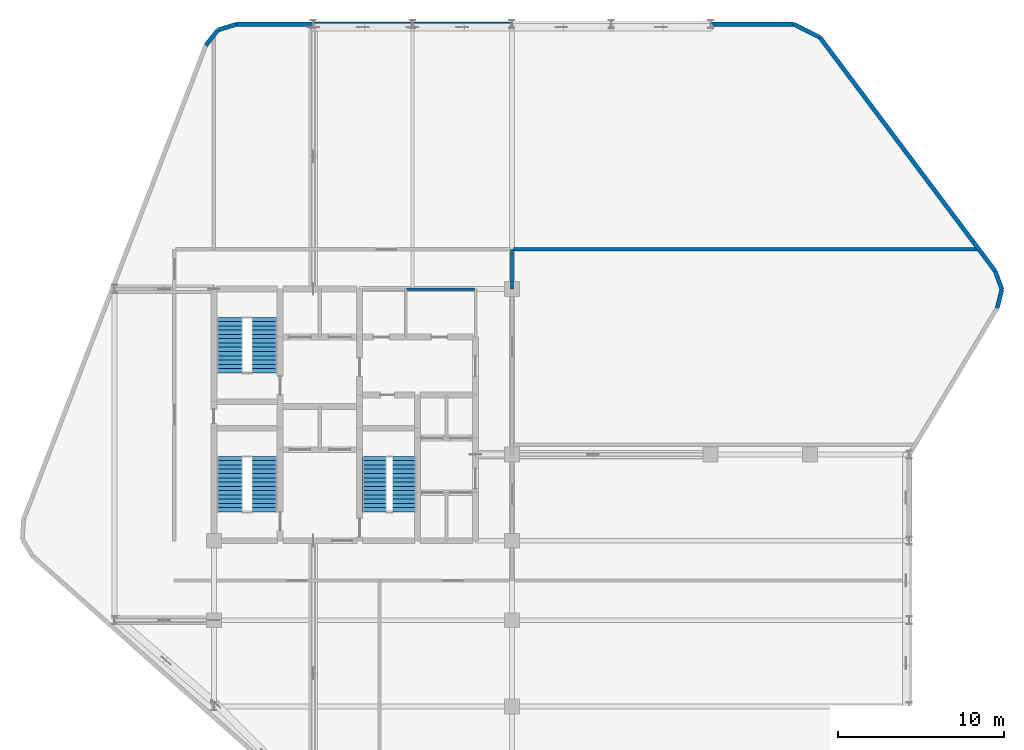
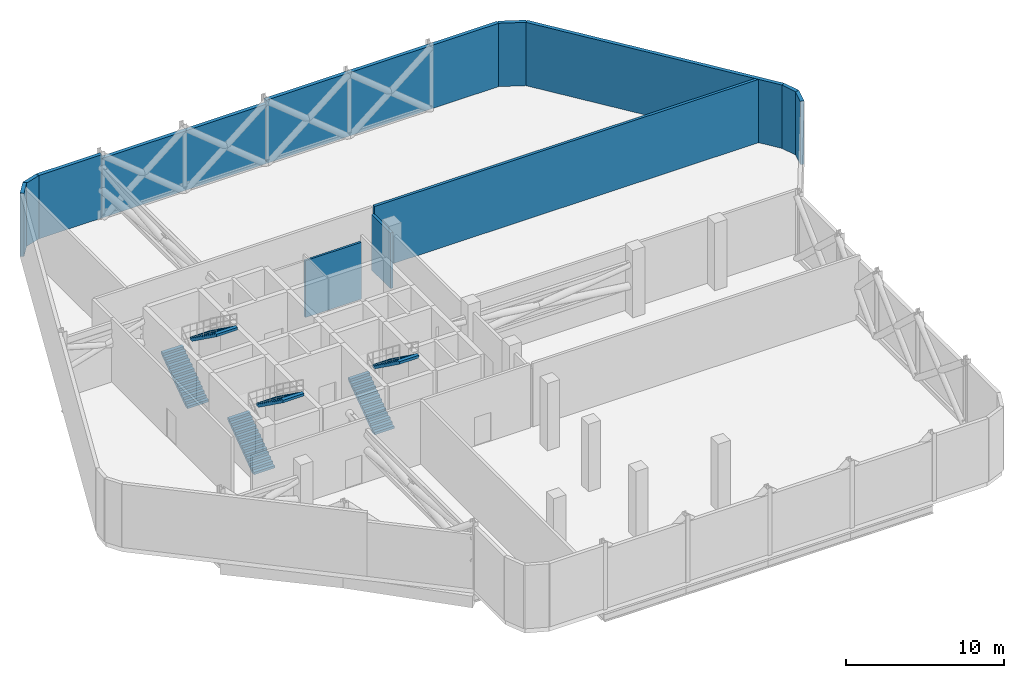
# One storey, part 11 of 12: 12 walls, 6 stair flights, 3 elements without a shape of their own.
"""IFC4 building model written with IfcOpenShell, lengths in metres."""

from ifc_helpers import new_model, si_unit, direction, frame, frame_2d, origin, place, context, subcontext, project, spatial, polyline, rectangle, outline, extrude, material, layer, layer_set, type_object, element, aggregate, save


model = new_model("IFC4")

# Units and contexts
model_context = context("Model", 3, precision=1e-05, world=origin(), true_north=direction((0.0, 1.0)))
body_context = subcontext(model_context, "Body", "Model", "MODEL_VIEW")
ifc_project = project(units=[si_unit("LENGTHUNIT", "METRE"), si_unit("AREAUNIT", "SQUARE_METRE"), si_unit("VOLUMEUNIT", "CUBIC_METRE"), si_unit("PLANEANGLEUNIT", "RADIAN"), si_unit("MASSUNIT", "GRAM", prefix="KILO")], contexts=[model_context])

# Site, building, storey
site_placement = place(None, origin())
site = spatial("IfcSite", under=ifc_project, at=site_placement, CompositionType="ELEMENT")
building_placement = place(site_placement, origin())
building = spatial("IfcBuilding", under=site, at=building_placement, Name="Keshet Zoharim Tower", CompositionType="ELEMENT")
storey_placement = place(building_placement, frame((0.0, 0.0, 159.39990234375)))
storey = spatial("IfcBuildingStorey", under=building, at=storey_placement, Name="L39", CompositionType="ELEMENT", Elevation=159.39990234375)

# Walls
ifc_material_1 = material(Name="Gypsum Plasterboard", Category="gypsum")
ifc_layer_1 = layer(ifc_material_1, 0.14990234375)
ifc_layer_set_1 = layer_set([ifc_layer_1], Name="Gypsum Plasterboard")
wall_type_1 = type_object("IfcWallType", Name="WL-CLIN-150", PredefinedType="STANDARD", material=ifc_layer_set_1)
wall_1_placement = place(storey_placement, frame((26.64501953125, 37.89990234375, 0.0), z_axis=(0.0, 0.0, 1.0), x_axis=(1.0, 0.0, 0.0)))
element("IfcWall", 1, at=wall_1_placement, inside=storey, type_object=wall_type_1, Name="L39 Interior Wall 057", PredefinedType="STANDARD", context=body_context, shape_type="SweptSolid", body=[
    extrude(rectangle(XDim=4.094970703125, YDim=0.14990234375, at=frame_2d((2.04736328125, 0.0))), origin(), (0.0, 0.0, 1.0), 4.39013671875),
])
ifc_material_2 = material(Name="Concrete C50/60 precast", Category="concrete")
ifc_layer_2 = layer(ifc_material_2, 0.260009765625)
ifc_layer_set_2 = layer_set([ifc_layer_2], Name="Concrete C50/60 precast")
wall_type_2 = type_object("IfcWallType", Name="WL-EXT-260", PredefinedType="STANDARD", material=ifc_layer_set_2)
wall_2_placement = place(storey_placement, frame((14.507080078125, 52.617919921875, 0.0), z_axis=(0.0, 0.0, 1.0), x_axis=(0.619003121736, 0.78538852505, 0.0)))
element("IfcWall", 2, at=wall_2_placement, inside=storey, type_object=wall_type_2, Name="L39 Exterior Facade Wall 11", PredefinedType="STANDARD", context=body_context, shape_type="SweptSolid", body=[
    extrude(rectangle(XDim=1.185546875, YDim=0.260009765625, at=frame_2d((0.5927734375, 0.0))), origin(), (0.0, 0.0, 1.0), 4.89013671875),
])
wall_3_placement = place(storey_placement, frame((15.240966796875, 53.549072265625, 0.0), z_axis=(0.0, 0.0, 1.0), x_axis=(0.955256816454, 0.295777643879, 0.0)))
element("IfcWall", 3, at=wall_3_placement, inside=storey, type_object=wall_type_2, Name="L39 Exterior Facade Wall 12", PredefinedType="STANDARD", context=body_context, shape_type="SweptSolid", body=[
    extrude(rectangle(XDim=1.18603515625, YDim=0.260009765625, at=frame_2d((0.593017578125, 0.0))), origin(), (0.0, 0.0, 1.0), 4.89013671875),
])
wall_4_placement = place(storey_placement, frame((16.3740234375, 53.89990234375, 0.0), z_axis=(0.0, 0.0, 1.0), x_axis=(1.0, 0.0, 0.0)))
element("IfcWall", 4, at=wall_4_placement, inside=storey, type_object=wall_type_2, Name="L39 Exterior Facade Wall 13", PredefinedType="STANDARD", context=body_context, shape_type="SweptSolid", body=[
    extrude(rectangle(XDim=4.6259765625, YDim=0.260009765625, at=frame_2d((2.31298828125, 0.0))), origin(), (0.0, 0.0, 1.0), 4.89013671875),
])
wall_5_placement = place(storey_placement, frame((50.0, 53.89990234375, 0.0), z_axis=(0.0, 0.0, 1.0), x_axis=(0.894481775839, -0.447104409162, 0.0)))
element("IfcWall", 5, at=wall_5_placement, inside=storey, type_object=wall_type_2, Name="L39 Exterior Facade Wall 14", PredefinedType="STANDARD", context=body_context, shape_type="SweptSolid", body=[
    extrude(rectangle(XDim=1.788818359375, YDim=0.260009765625, at=frame_2d((0.89453125, 0.0))), origin(), (0.0, 0.0, 1.0), 4.89013671875),
])
wall_6_placement = place(storey_placement, frame((51.60009765625, 53.10009765625, 0.0), z_axis=(0.0, 0.0, 1.0), x_axis=(0.6, -0.8, 0.0)))
element("IfcWall", 6, at=wall_6_placement, inside=storey, type_object=wall_type_2, Name="L39 Exterior Facade Wall 15", PredefinedType="STANDARD", context=body_context, shape_type="SweptSolid", body=[
    extrude(rectangle(XDim=17.655029296875, YDim=0.260009765625, at=frame_2d((8.82763671875, 0.0))), origin(), (0.0, 0.0, 1.0), 4.89013671875),
])
wall_7_placement = place(storey_placement, frame((62.193115234375, 38.97607421875, 0.0), z_axis=(0.0, 0.0, 1.0), x_axis=(0.34023056637, -0.94034204506, 0.0)))
element("IfcWall", 7, at=wall_7_placement, inside=storey, type_object=wall_type_2, Name="L39 Exterior Facade Wall 16", PredefinedType="STANDARD", context=body_context, shape_type="SweptSolid", body=[
    extrude(rectangle(XDim=1.166748046875, YDim=0.260009765625, at=frame_2d((0.58349609375, 0.0))), origin(), (0.0, 0.0, 1.0), 4.89013671875),
])
wall_8_placement = place(storey_placement, frame((62.590087890625, 37.87890625, 0.0), z_axis=(0.0, 0.0, 1.0), x_axis=(-0.241747572301, -0.970339173324, 0.0)))
element("IfcWall", 8, at=wall_8_placement, inside=storey, type_object=wall_type_2, Name="L39 Exterior Facade Wall 17", PredefinedType="STANDARD", context=body_context, shape_type="SweptSolid", body=[
    extrude(rectangle(XDim=1.16650390625, YDim=0.260009765625, at=frame_2d((0.583251953125, 0.0))), origin(), (0.0, 0.0, 1.0), 4.89013671875),
])
wall_9_placement = place(storey_placement, frame((21.0, 53.89990234375, 0.0), z_axis=(0.0, 0.0, 1.0), x_axis=(1.0, 0.0, 0.0)))
element("IfcWall", 9, at=wall_9_placement, inside=storey, type_object=wall_type_2, Name="L39 Exterior Facade Wall 13 Part 2", PredefinedType="STANDARD", context=body_context, shape_type="SweptSolid", body=[
    extrude(rectangle(XDim=12.0, YDim=0.260009765625, at=frame_2d((6.0, 0.0))), origin(), (0.0, 0.0, 1.0), 4.590087890625),
])
wall_10_placement = place(storey_placement, frame((33.0, 53.89990234375, 0.0), z_axis=(0.0, 0.0, 1.0), x_axis=(1.0, 0.0, 0.0)))
element("IfcWall", 10, at=wall_10_placement, inside=storey, type_object=wall_type_2, Name="L39 Exterior Facade Wall 13 Part 3", PredefinedType="STANDARD", context=body_context, shape_type="SweptSolid", body=[
    extrude(rectangle(XDim=17.0, YDim=0.260009765625, at=frame_2d((8.5, 0.0))), origin(), (0.0, 0.0, 1.0), 4.89013671875),
])
ifc_material_3 = material(Name="Concrete C50/60", Category="concrete")
ifc_layer_3 = layer(ifc_material_3, 0.199951171875)
ifc_layer_set_3 = layer_set([ifc_layer_3], Name="Concrete C50/60")
wall_type_3 = type_object("IfcWallType", Name="WL-FIRE-200", PredefinedType="STANDARD", material=ifc_layer_set_3)
wall_11_placement = place(storey_placement, frame((33.0849609375, 40.300048828125, 0.0), z_axis=(0.0, 0.0, 1.0), x_axis=(1.0, 0.0, 0.0)))
element("IfcWall", 11, at=wall_11_placement, inside=storey, type_object=wall_type_3, Name="L39 Interior Wall 059", PredefinedType="STANDARD", context=body_context, shape_type="SweptSolid", body=[
    extrude(rectangle(XDim=28.10498046875, YDim=0.199951171875, at=frame_2d((14.052490234375, 0.0))), origin(), (0.0, 0.0, 1.0), 4.89013671875),
])
wall_12_placement = place(storey_placement, frame((33.0, 37.89990234375, 0.0), z_axis=(0.0, 0.0, 1.0), x_axis=(0.0, 1.0, 0.0)))
element("IfcWall", 12, at=wall_12_placement, inside=storey, type_object=wall_type_3, Name="L39 Interior Wall 033 Part 2", PredefinedType="STANDARD", context=body_context, shape_type="SweptSolid", body=[
    extrude(rectangle(XDim=2.400146484375, YDim=0.199951171875, at=frame_2d((1.2001953125, 0.0))), origin(), (0.0, 0.0, 1.0), 4.2900390625),
])

# Stair, stair flights
stair_type = type_object("IfcStairType", Name="STR-EXIT-135", PredefinedType="HALF_TURN_STAIR", material=ifc_material_3)
stair_1_placement = place(storey_placement, origin())
stair_1 = element("IfcStair", 13, at=stair_1_placement, inside=storey, type_object=stair_type, Name="L39 Enclosed Exit Stair ST-01", PredefinedType="HALF_TURN_STAIR")
stair_flight_type_1 = type_object("IfcStairFlightType", Name="FLT-PRE-135", PredefinedType="STRAIGHT", material=ifc_material_3)
stair_flight_1_placement = place(storey_placement, frame((15.945068359375, 24.43994140625, 0.0), z_axis=(0.0, 0.0, 1.0), x_axis=(0.0, 1.0, 0.0)))
stair_flight_1 = element("IfcStairFlight", 14, at=stair_flight_1_placement, type_object=stair_flight_type_1, Name="ST-01 flight 1", NumberOfRisers=14, NumberOfTreads=13, PredefinedType="STRAIGHT", RiserHeight=0.185714, TreadLength=0.258, context=body_context, shape_type="SweptSolid", body=[
    extrude(outline(polyline([(0.0, 0.0), (0.0, 0.185791015625), (0.258056640625, 0.185791015625), (0.258056640625, 0.371337890625), (0.51611328125, 0.371337890625), (0.51611328125, 0.55712890625), (0.77392578125, 0.55712890625), (0.77392578125, 0.742919921875), (1.031982421875, 0.742919921875), (1.031982421875, 0.928466796875), (1.2900390625, 0.928466796875), (1.2900390625, 1.1142578125), (1.548095703125, 1.1142578125), (1.548095703125, 1.300048828125), (1.805908203125, 1.300048828125), (1.805908203125, 1.485595703125), (2.06396484375, 1.485595703125), (2.06396484375, 1.67138671875), (2.322021484375, 1.67138671875), (2.322021484375, 1.857177734375), (2.580078125, 1.857177734375), (2.580078125, 2.04296875), (2.837890625, 2.04296875), (2.837890625, 2.228515625), (3.095947265625, 2.228515625), (3.095947265625, 2.414306640625), (3.35400390625, 2.414306640625), (3.35400390625, 2.60009765625), (3.35400390625, 2.21728515625), (0.273681640625, 0.0), (0.0, 0.0)])), frame((0.0, 0.76513671875, 0.0), z_axis=(0.0, -1.0, 0.0), x_axis=(1.0, 0.0, 0.0)), (0.0, 0.0, 1.0), 1.530029296875),
])
stair_flight_2_placement = place(storey_placement, frame((18.054931640625, 27.7939453125, 2.60009765625), z_axis=(0.0, 0.0, 1.0), x_axis=(0.0, -1.0, 0.0)))
stair_flight_2 = element("IfcStairFlight", 15, at=stair_flight_2_placement, type_object=stair_flight_type_1, Name="ST-01 flight 2", NumberOfRisers=14, NumberOfTreads=13, PredefinedType="STRAIGHT", RiserHeight=0.185714, TreadLength=0.258, context=body_context, shape_type="SweptSolid", body=[
    extrude(outline(polyline([(0.0, 0.0), (0.0, 0.185791015625), (0.258056640625, 0.185791015625), (0.258056640625, 0.371337890625), (0.51611328125, 0.371337890625), (0.51611328125, 0.55712890625), (0.77392578125, 0.55712890625), (0.77392578125, 0.742919921875), (1.031982421875, 0.742919921875), (1.031982421875, 0.928466796875), (1.2900390625, 0.928466796875), (1.2900390625, 1.1142578125), (1.548095703125, 1.1142578125), (1.548095703125, 1.300048828125), (1.805908203125, 1.300048828125), (1.805908203125, 1.485595703125), (2.06396484375, 1.485595703125), (2.06396484375, 1.67138671875), (2.322021484375, 1.67138671875), (2.322021484375, 1.857177734375), (2.580078125, 1.857177734375), (2.580078125, 2.04296875), (2.837890625, 2.04296875), (2.837890625, 2.228515625), (3.095947265625, 2.228515625), (3.095947265625, 2.414306640625), (3.35400390625, 2.414306640625), (3.35400390625, 2.60009765625), (3.35400390625, 2.21728515625), (0.273681640625, 0.0), (0.0, 0.0)])), frame((0.0, 0.76513671875, 0.0), z_axis=(0.0, -1.0, 0.0), x_axis=(1.0, 0.0, 0.0)), (0.0, 0.0, 1.0), 1.530029296875),
])
aggregate(stair_1, [stair_flight_1, stair_flight_2])

stair_2_placement = place(storey_placement, origin())
stair_2 = element("IfcStair", 16, at=stair_2_placement, inside=storey, type_object=stair_type, Name="L39 Enclosed Exit Stair ST-02", PredefinedType="HALF_TURN_STAIR")
stair_flight_3_placement = place(storey_placement, frame((15.945068359375, 32.840087890625, 0.0), z_axis=(0.0, 0.0, 1.0), x_axis=(0.0, 1.0, 0.0)))
stair_flight_3 = element("IfcStairFlight", 17, at=stair_flight_3_placement, type_object=stair_flight_type_1, Name="ST-02 flight 1", NumberOfRisers=14, NumberOfTreads=13, PredefinedType="STRAIGHT", RiserHeight=0.185714, TreadLength=0.258, context=body_context, shape_type="SweptSolid", body=[
    extrude(outline(polyline([(0.0, 0.0), (0.0, 0.185791015625), (0.258056640625, 0.185791015625), (0.258056640625, 0.371337890625), (0.51611328125, 0.371337890625), (0.51611328125, 0.55712890625), (0.77392578125, 0.55712890625), (0.77392578125, 0.742919921875), (1.031982421875, 0.742919921875), (1.031982421875, 0.928466796875), (1.2900390625, 0.928466796875), (1.2900390625, 1.1142578125), (1.548095703125, 1.1142578125), (1.548095703125, 1.300048828125), (1.805908203125, 1.300048828125), (1.805908203125, 1.485595703125), (2.06396484375, 1.485595703125), (2.06396484375, 1.67138671875), (2.322021484375, 1.67138671875), (2.322021484375, 1.857177734375), (2.580078125, 1.857177734375), (2.580078125, 2.04296875), (2.837890625, 2.04296875), (2.837890625, 2.228515625), (3.095947265625, 2.228515625), (3.095947265625, 2.414306640625), (3.35400390625, 2.414306640625), (3.35400390625, 2.60009765625), (3.35400390625, 2.21728515625), (0.273681640625, 0.0), (0.0, 0.0)])), frame((0.0, 0.76513671875, 0.0), z_axis=(0.0, -1.0, 0.0), x_axis=(1.0, 0.0, 0.0)), (0.0, 0.0, 1.0), 1.530029296875),
])
stair_flight_4_placement = place(storey_placement, frame((18.054931640625, 36.194091796875, 2.60009765625), z_axis=(0.0, 0.0, 1.0), x_axis=(0.0, -1.0, 0.0)))
stair_flight_4 = element("IfcStairFlight", 18, at=stair_flight_4_placement, type_object=stair_flight_type_1, Name="ST-02 flight 2", NumberOfRisers=14, NumberOfTreads=13, PredefinedType="STRAIGHT", RiserHeight=0.185714, TreadLength=0.258, context=body_context, shape_type="SweptSolid", body=[
    extrude(outline(polyline([(0.0, 0.0), (0.0, 0.185791015625), (0.258056640625, 0.185791015625), (0.258056640625, 0.371337890625), (0.51611328125, 0.371337890625), (0.51611328125, 0.55712890625), (0.77392578125, 0.55712890625), (0.77392578125, 0.742919921875), (1.031982421875, 0.742919921875), (1.031982421875, 0.928466796875), (1.2900390625, 0.928466796875), (1.2900390625, 1.1142578125), (1.548095703125, 1.1142578125), (1.548095703125, 1.300048828125), (1.805908203125, 1.300048828125), (1.805908203125, 1.485595703125), (2.06396484375, 1.485595703125), (2.06396484375, 1.67138671875), (2.322021484375, 1.67138671875), (2.322021484375, 1.857177734375), (2.580078125, 1.857177734375), (2.580078125, 2.04296875), (2.837890625, 2.04296875), (2.837890625, 2.228515625), (3.095947265625, 2.228515625), (3.095947265625, 2.414306640625), (3.35400390625, 2.414306640625), (3.35400390625, 2.60009765625), (3.35400390625, 2.21728515625), (0.273681640625, 0.0), (0.0, 0.0)])), frame((0.0, 0.76513671875, 0.0), z_axis=(0.0, -1.0, 0.0), x_axis=(1.0, 0.0, 0.0)), (0.0, 0.0, 1.0), 1.530029296875),
])
aggregate(stair_2, [stair_flight_3, stair_flight_4])

stair_3_placement = place(storey_placement, origin())
stair_3 = element("IfcStair", 19, at=stair_3_placement, inside=storey, type_object=stair_type, Name="L39 Enclosed Exit Stair ST-03", PredefinedType="HALF_TURN_STAIR")
stair_flight_type_2 = type_object("IfcStairFlightType", Name="FLT-PRE-144", PredefinedType="STRAIGHT", material=ifc_material_3)
stair_flight_5_placement = place(storey_placement, frame((24.699951171875, 24.43994140625, 0.0), z_axis=(0.0, 0.0, 1.0), x_axis=(0.0, 1.0, 0.0)))
stair_flight_5 = element("IfcStairFlight", 20, at=stair_flight_5_placement, type_object=stair_flight_type_2, Name="ST-03 flight 1", NumberOfRisers=14, NumberOfTreads=13, PredefinedType="STRAIGHT", RiserHeight=0.185714, TreadLength=0.258, context=body_context, shape_type="SweptSolid", body=[
    extrude(outline(polyline([(0.0, 0.0), (0.0, 0.185791015625), (0.258056640625, 0.185791015625), (0.258056640625, 0.371337890625), (0.51611328125, 0.371337890625), (0.51611328125, 0.55712890625), (0.77392578125, 0.55712890625), (0.77392578125, 0.742919921875), (1.031982421875, 0.742919921875), (1.031982421875, 0.928466796875), (1.2900390625, 0.928466796875), (1.2900390625, 1.1142578125), (1.548095703125, 1.1142578125), (1.548095703125, 1.300048828125), (1.805908203125, 1.300048828125), (1.805908203125, 1.485595703125), (2.06396484375, 1.485595703125), (2.06396484375, 1.67138671875), (2.322021484375, 1.67138671875), (2.322021484375, 1.857177734375), (2.580078125, 1.857177734375), (2.580078125, 2.04296875), (2.837890625, 2.04296875), (2.837890625, 2.228515625), (3.095947265625, 2.228515625), (3.095947265625, 2.414306640625), (3.35400390625, 2.414306640625), (3.35400390625, 2.60009765625), (3.35400390625, 2.21728515625), (0.273681640625, 0.0), (0.0, 0.0)])), frame((0.0, 0.719970703125, 0.0), z_axis=(0.0, -1.0, 0.0), x_axis=(1.0, 0.0, 0.0)), (0.0, 0.0, 1.0), 1.43994140625),
])
stair_flight_6_placement = place(storey_placement, frame((26.5, 27.7939453125, 2.60009765625), z_axis=(0.0, 0.0, 1.0), x_axis=(0.0, -1.0, 0.0)))
stair_flight_6 = element("IfcStairFlight", 21, at=stair_flight_6_placement, type_object=stair_flight_type_2, Name="ST-03 flight 2", NumberOfRisers=14, NumberOfTreads=13, PredefinedType="STRAIGHT", RiserHeight=0.185714, TreadLength=0.258, context=body_context, shape_type="SweptSolid", body=[
    extrude(outline(polyline([(0.0, 0.0), (0.0, 0.185791015625), (0.258056640625, 0.185791015625), (0.258056640625, 0.371337890625), (0.51611328125, 0.371337890625), (0.51611328125, 0.55712890625), (0.77392578125, 0.55712890625), (0.77392578125, 0.742919921875), (1.031982421875, 0.742919921875), (1.031982421875, 0.928466796875), (1.2900390625, 0.928466796875), (1.2900390625, 1.1142578125), (1.548095703125, 1.1142578125), (1.548095703125, 1.300048828125), (1.805908203125, 1.300048828125), (1.805908203125, 1.485595703125), (2.06396484375, 1.485595703125), (2.06396484375, 1.67138671875), (2.322021484375, 1.67138671875), (2.322021484375, 1.857177734375), (2.580078125, 1.857177734375), (2.580078125, 2.04296875), (2.837890625, 2.04296875), (2.837890625, 2.228515625), (3.095947265625, 2.228515625), (3.095947265625, 2.414306640625), (3.35400390625, 2.414306640625), (3.35400390625, 2.60009765625), (3.35400390625, 2.21728515625), (0.273681640625, 0.0), (0.0, 0.0)])), frame((0.0, 0.719970703125, 0.0), z_axis=(0.0, -1.0, 0.0), x_axis=(1.0, 0.0, 0.0)), (0.0, 0.0, 1.0), 1.43994140625),
])
aggregate(stair_3, [stair_flight_5, stair_flight_6])

save(model, "model.ifc")
